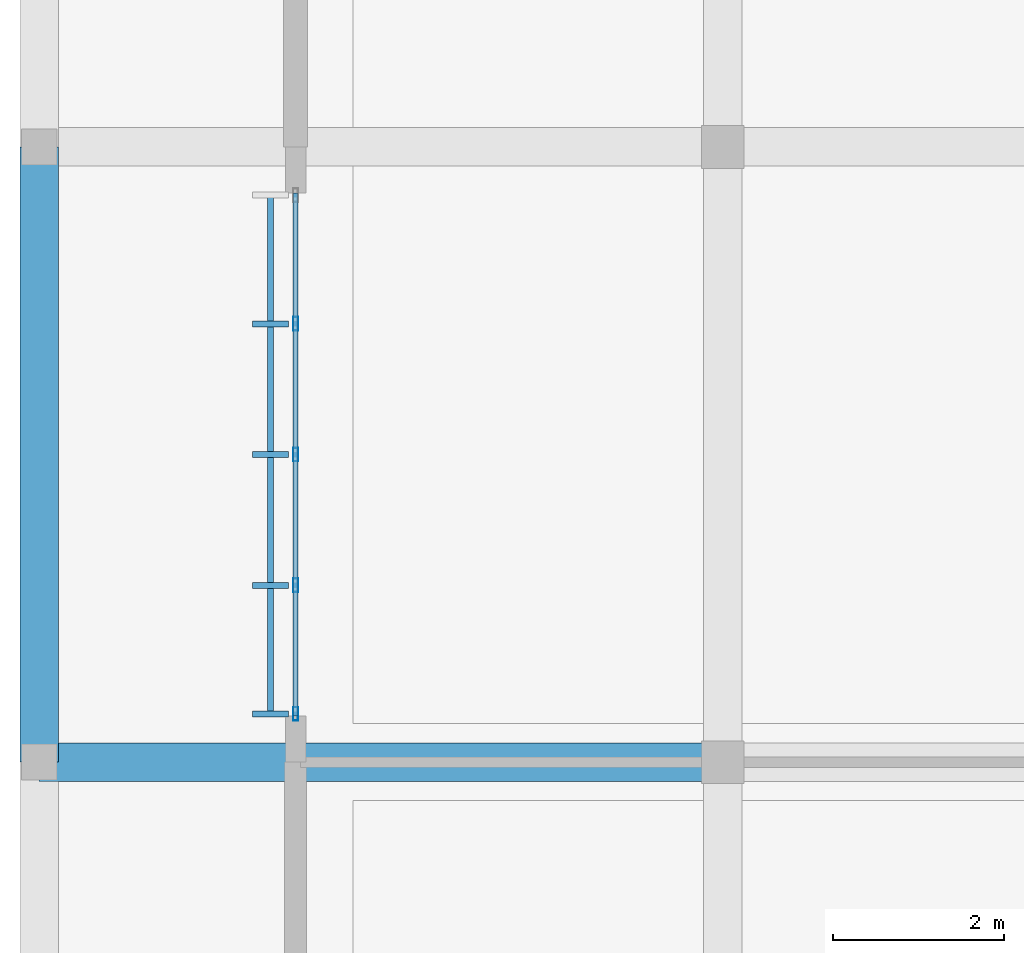
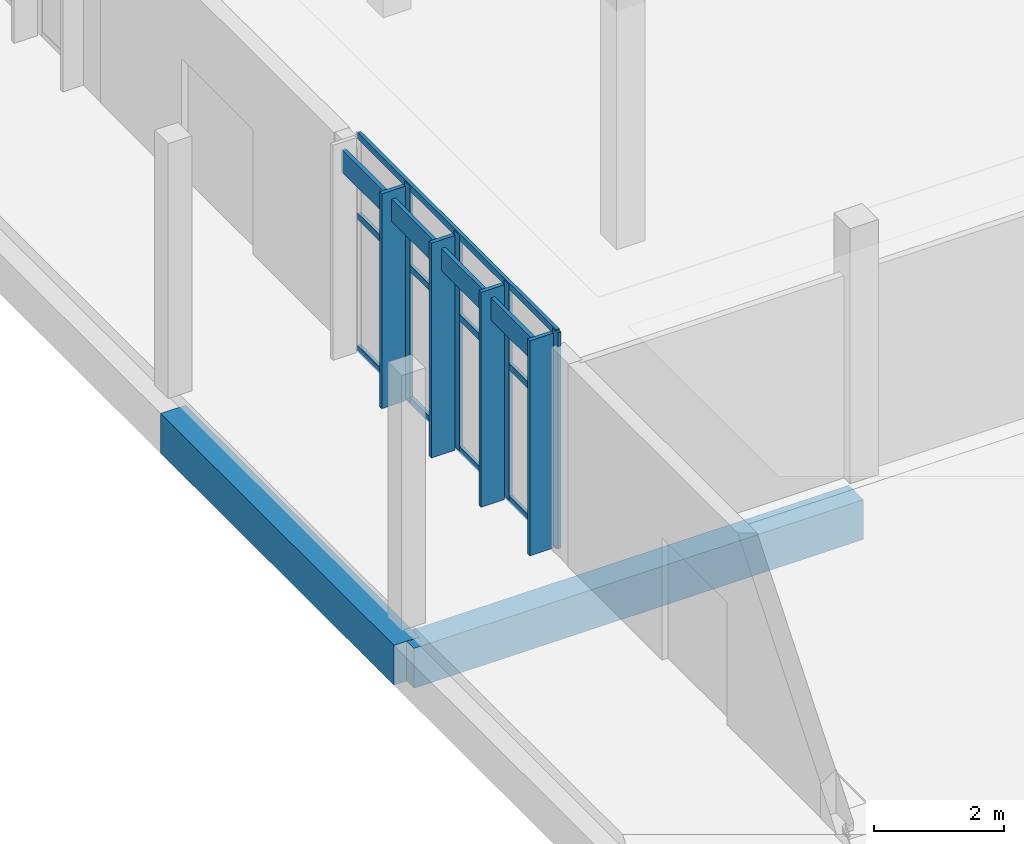
# One storey, part 46 of 151: 12 members, 2 beams, 1 element without a shape of its own.
"""IFC4 building model written with IfcOpenShell, lengths in metres."""

import ifcopenshell
import ifcopenshell.guid

model = None  # the IFC model being written
_history = None  # IfcOwnerHistory: only IFC2X3 demands one
_inside = {}  # id of a spatial element -> (the spatial element, [elements in it])
_under = {}  # id of a project, library or spatial element -> (it, [spatial elements below it])
_declared = {}  # id of a project -> (the project, [libraries it declares])
_typed = {}  # id of a type object -> (the type object, [elements of that type])
_made_of = {}  # id of a material, layer set ... -> (it, [elements and type objects made of it])


def new_model(schema):
    """Start an empty IFC model of exactly this schema.

    Asked for "IFC4X3", IfcOpenShell would pick the latest addendum, in which some entities
    have other attributes; the version numbers below select the first issue.
    IFC2X3 requires an IfcOwnerHistory on every rooted entity: one is made here for all.
    """
    global model, _history
    if schema == "IFC4X3":
        model = ifcopenshell.file(schema_version=(4, 3, 0, 0))
    else:
        model = ifcopenshell.file(schema=schema)
    _inside.clear()
    _under.clear()
    _declared.clear()
    _typed.clear()
    _made_of.clear()
    _history = None
    if model.schema == "IFC2X3":
        org = make("IfcOrganization", Name="unknown")
        user = make(
            "IfcPersonAndOrganization",
            ThePerson=make("IfcPerson", FamilyName="unknown"),
            TheOrganization=org,
        )
        app = make(
            "IfcApplication",
            ApplicationDeveloper=org,
            Version="unknown",
            ApplicationFullName="unknown",
            ApplicationIdentifier="unknown",
        )
        _history = make(
            "IfcOwnerHistory",
            OwningUser=user,
            OwningApplication=app,
            ChangeAction="ADDED",
            CreationDate=0,
        )
    return model


def make(cls, **values):
    """One entity of the class cls with the attributes given. An attribute that is None is left unset."""
    return model.create_entity(
        cls, **{name: value for name, value in values.items() if value is not None}
    )


def rooted(cls, **values):
    """An entity with a GlobalId (a new one), such as an element, a storey or a relation."""
    return make(cls, GlobalId=ifcopenshell.guid.new(), OwnerHistory=_history, **values)


def si_unit(unit_type, name, prefix=None):
    """IfcSIUnit, for example si_unit("LENGTHUNIT", "METRE", prefix="MILLI")."""
    return make("IfcSIUnit", UnitType=unit_type, Prefix=prefix, Name=name)


def assignment(units):
    """IfcUnitAssignment: the units of a project."""
    return None if units is None else make("IfcUnitAssignment", Units=units)


def point(xyz):
    """IfcCartesianPoint."""
    return None if xyz is None else make("IfcCartesianPoint", Coordinates=xyz)


def direction(xyz):
    """IfcDirection."""
    return None if xyz is None else make("IfcDirection", DirectionRatios=xyz)


def frame(location, z_axis=None, x_axis=None):
    """IfcAxis2Placement3D, a coordinate frame: its origin and axes. An axis left out is left unset."""
    return make(
        "IfcAxis2Placement3D",
        Location=point(location),
        Axis=direction(z_axis),
        RefDirection=direction(x_axis),
    )


def frame_2d(location, x_axis=None):
    """IfcAxis2Placement2D, a coordinate frame in the plane: its origin and x axis."""
    return make(
        "IfcAxis2Placement2D", Location=point(location), RefDirection=direction(x_axis)
    )


def origin():
    """The frame at (0, 0, 0) with its axes left unset."""
    return frame((0.0, 0.0, 0.0))


def origin_2d():
    """The frame at (0, 0) in the plane with its x axis left unset."""
    return frame_2d((0.0, 0.0))


def place(relative_to, where):
    """IfcLocalPlacement: puts the frame where relative to a parent placement (None: the world)."""
    return make(
        "IfcLocalPlacement", PlacementRelTo=relative_to, RelativePlacement=where
    )


def context(
    kind, dimensions, precision=None, world=None, true_north=None, identifier=None
):
    """IfcGeometricRepresentationContext, for example the 3D "Model" context."""
    return make(
        "IfcGeometricRepresentationContext",
        ContextIdentifier=identifier,
        ContextType=kind,
        CoordinateSpaceDimension=dimensions,
        Precision=precision,
        WorldCoordinateSystem=world,
        TrueNorth=true_north,
    )


def subcontext(parent, identifier, kind, view, scale=None):
    """IfcGeometricRepresentationSubContext, for example "Body" below "Model"."""
    return make(
        "IfcGeometricRepresentationSubContext",
        ContextIdentifier=identifier,
        ContextType=kind,
        ParentContext=parent,
        TargetScale=scale,
        TargetView=view,
    )


def project(units=None, contexts=None):
    """IfcProject with its units and contexts."""
    return rooted(
        "IfcProject",
        Name="project",
        RepresentationContexts=contexts,
        UnitsInContext=assignment(units),
    )


def spatial(cls, under=None, at=None, **own):
    """A site, building, storey or space (cls), placed at a placement, below another one or the project."""
    s = rooted(cls, ObjectPlacement=at, **own)
    if under is not None:
        _under.setdefault(under.id(), (under, []))[1].append(s)
    return s


def profile(cls, at=None, kind="AREA", **sizes):
    """A parametric profile (cls). Its sizes go by their IFC names, for example OverallWidth=200.0."""
    return make(cls, ProfileType=kind, Position=at, **sizes)


def rectangle(**sizes):
    """IfcRectangleProfileDef."""
    return profile("IfcRectangleProfileDef", **sizes)


def hollow_rectangle(**sizes):
    """IfcRectangleHollowProfileDef."""
    return profile("IfcRectangleHollowProfileDef", **sizes)


def extrude(swept, where, along, depth):
    """IfcExtrudedAreaSolid: the profile swept, set in the frame where, extruded along a direction by depth."""
    return make(
        "IfcExtrudedAreaSolid",
        SweptArea=swept,
        Position=where,
        ExtrudedDirection=direction(along),
        Depth=depth,
    )


def shape(context_of_items, identifier, shape_type, items):
    """IfcShapeRepresentation: the items that make up one representation, for example the "Body"."""
    return make(
        "IfcShapeRepresentation",
        ContextOfItems=context_of_items,
        RepresentationIdentifier=identifier,
        RepresentationType=shape_type,
        Items=items,
    )


def material(Name=None, Category=None):
    """IfcMaterial."""
    return make("IfcMaterial", Name=Name, Category=Category)


def material_profile(
    of_material, cross_section, Name=None, Category=None, Priority=None
):
    """IfcMaterialProfile: a cross section and its material."""
    return make(
        "IfcMaterialProfile",
        Name=Name,
        Material=of_material,
        Profile=cross_section,
        Priority=Priority,
        Category=Category,
    )


def profile_set(profiles, Name=None, composite=None):
    """IfcMaterialProfileSet."""
    return make(
        "IfcMaterialProfileSet",
        Name=Name,
        MaterialProfiles=profiles,
        CompositeProfile=composite,
    )


def made_of(thing, what):
    """Note that an element or type object is made of a material, layer set ...; save() writes the relation."""
    if what is not None:
        _made_of.setdefault(what.id(), (what, []))[1].append(thing)
    return thing


def type_object(cls, material=None, **own):
    """A type object (cls), such as IfcWallType, which elements share."""
    return made_of(rooted(cls, **own), material)


def element(
    cls,
    number,
    at=None,
    inside=None,
    cuts=None,
    type_object=None,
    material=None,
    context=None,
    identifier="Body",
    shape_type=None,
    held_by="IfcProductDefinitionShape",
    body=None,
    shapes=None,
    **own,
):
    """One element of the class cls, such as IfcWall. Its Tag is "e" and its number.

    at: its placement. inside: the storey or other place that contains it. cuts: it is an
    opening in that element (IfcRelVoidsElement). A single representation is given by context,
    identifier, shape_type and body (its items); several are given by shapes. held_by: the class
    of the entity that holds the representations. save() writes the other relations.
    """
    e = rooted(cls, Tag="e%d" % number, ObjectPlacement=at, **own)
    if body is not None:
        shapes = [shape(context, identifier, shape_type, body)]
    if shapes is not None:
        e.Representation = make(held_by, Representations=shapes)
    if inside is not None:
        _inside.setdefault(inside.id(), (inside, []))[1].append(e)
    if cuts is not None:
        rooted(
            "IfcRelVoidsElement", RelatingBuildingElement=cuts, RelatedOpeningElement=e
        )
    if type_object is not None:
        _typed.setdefault(type_object.id(), (type_object, []))[1].append(e)
    return made_of(e, material)


def aggregate(whole, parts):
    """IfcRelAggregates: a whole, such as a stair, and the parts it consists of."""
    return rooted("IfcRelAggregates", RelatingObject=whole, RelatedObjects=parts)


def save(model, path):
    """Write the relations noted so far, then the file.

    IfcRelAggregates (storeys below a building ...), IfcRelContainedInSpatialStructure (elements
    in a storey), IfcRelDefinesByType, IfcRelAssociatesMaterial and IfcRelDeclares: one each for
    every whole, place, type object, material and project.
    """
    for whole, parts in _under.values():
        aggregate(whole, parts)
    for where, things in _inside.values():
        rooted(
            "IfcRelContainedInSpatialStructure",
            RelatedElements=things,
            RelatingStructure=where,
        )
    for kind, things in _typed.values():
        rooted("IfcRelDefinesByType", RelatedObjects=things, RelatingType=kind)
    for what, things in _made_of.values():
        rooted("IfcRelAssociatesMaterial", RelatedObjects=things, RelatingMaterial=what)
    for by, libraries in _declared.values():
        rooted("IfcRelDeclares", RelatingContext=by, RelatedDefinitions=libraries)
    model.write(path)


model = new_model("IFC4")

# Units and contexts
model_context = context("Model", 3, precision=1e-05, world=origin(), true_north=direction((0.0, 1.0)))
body_context = subcontext(model_context, "Body", "Model", "MODEL_VIEW")
ifc_project = project(units=[si_unit("LENGTHUNIT", "METRE"), si_unit("AREAUNIT", "SQUARE_METRE"), si_unit("VOLUMEUNIT", "CUBIC_METRE"), si_unit("PLANEANGLEUNIT", "RADIAN"), si_unit("MASSUNIT", "GRAM", prefix="KILO")], contexts=[model_context])

# Site, building, storey
site_placement = place(None, origin())
site = spatial("IfcSite", under=ifc_project, at=site_placement, CompositionType="ELEMENT")
building_placement = place(site_placement, origin())
building = spatial("IfcBuilding", under=site, at=building_placement, Name="Chiffa Square Polytechnic", CompositionType="ELEMENT")
storey_placement = place(building_placement, origin())
storey = spatial("IfcBuildingStorey", under=building, at=storey_placement, Name="L00", CompositionType="ELEMENT", Elevation=0.0)

# Curtain wall, members
ifc_material_1 = material(Name="Aluminium EN AW-6060 T66 and glulam shading", Category="wood")
curtain_wall_type = type_object("IfcCurtainWallType", Name="CW-VERT-600X380", PredefinedType="USERDEFINED", material=ifc_material_1)
curtain_wall_placement = place(storey_placement, origin())
curtain_wall = element("IfcCurtainWall", 1, at=curtain_wall_placement, inside=storey, type_object=curtain_wall_type, Name="Curtain wall CW-V6-L00-252", ObjectType="CURTAIN WALL", PredefinedType="USERDEFINED")
ifc_material_2 = material(Name="Aluminium EN AW-6060 T66", Category="aluminium")
ifc_material_profile_1 = material_profile(ifc_material_2, hollow_rectangle(XDim=0.06005859375, YDim=0.159912109375, WallThickness=0.00390625, at=origin_2d()), Name="ALU 60x160x4")
ifc_profile_set_1 = profile_set([ifc_material_profile_1], Name="Aluminium EN AW-6060 T66")
member_type_1 = type_object("IfcMemberType", Name="CWM-ALU-65X150", PredefinedType="MULLION", material=ifc_profile_set_1)
member_1_placement = place(storey_placement, frame((3.0, 70.530029296875, 0.0), z_axis=(0.0, 0.0, 1.0), x_axis=(1.0, 0.0, 0.0)))
member_1 = element("IfcMember", 2, at=member_1_placement, type_object=member_type_1, Name="Curtain wall mullion CW-V6-L00-252-M01", PredefinedType="MULLION", context=body_context, shape_type="SweptSolid", body=[
    extrude(hollow_rectangle(XDim=0.06005859375, YDim=0.159912109375, WallThickness=0.00390625, at=origin_2d()), origin(), (0.0, 0.0, 1.0), 4.06494140625),
])
member_2_placement = place(storey_placement, frame((3.0, 69.0, 0.0), z_axis=(0.0, 0.0, 1.0), x_axis=(1.0, 0.0, 0.0)))
member_2 = element("IfcMember", 3, at=member_2_placement, type_object=member_type_1, Name="Curtain wall mullion CW-V6-L00-252-M02", PredefinedType="MULLION", context=body_context, shape_type="SweptSolid", body=[
    extrude(hollow_rectangle(XDim=0.06005859375, YDim=0.159912109375, WallThickness=0.00390625, at=origin_2d()), origin(), (0.0, 0.0, 1.0), 4.06494140625),
])
member_3_placement = place(storey_placement, frame((3.0, 67.469970703125, 0.0), z_axis=(0.0, 0.0, 1.0), x_axis=(1.0, 0.0, 0.0)))
member_3 = element("IfcMember", 4, at=member_3_placement, type_object=member_type_1, Name="Curtain wall mullion CW-V6-L00-252-M03", PredefinedType="MULLION", context=body_context, shape_type="SweptSolid", body=[
    extrude(hollow_rectangle(XDim=0.06005859375, YDim=0.159912109375, WallThickness=0.00390625, at=origin_2d()), origin(), (0.0, 0.0, 1.0), 4.06494140625),
])
member_4_placement = place(storey_placement, frame((3.0, 65.965087890625, 0.0), z_axis=(0.0, 0.0, 1.0), x_axis=(1.0, 0.0, 0.0)))
member_4 = element("IfcMember", 5, at=member_4_placement, type_object=member_type_1, Name="Curtain wall mullion CW-V6-L00-252-M04", PredefinedType="MULLION", context=body_context, shape_type="SweptSolid", body=[
    extrude(hollow_rectangle(XDim=0.06005859375, YDim=0.159912109375, WallThickness=0.00390625, at=origin_2d()), origin(), (0.0, 0.0, 1.0), 4.06494140625),
])
ifc_material_3 = material(Name="Glulam GL28h", Category="wood")
ifc_material_profile_2 = material_profile(ifc_material_3, rectangle(XDim=0.070068359375, YDim=0.419921875, at=origin_2d()), Name="GL28h 70x420")
ifc_profile_set_2 = profile_set([ifc_material_profile_2], Name="Glulam GL28h")
member_type_2 = type_object("IfcMemberType", Name="CWM-GL-70X420", PredefinedType="MULLION", material=ifc_profile_set_2)
member_5_placement = place(storey_placement, frame((2.7080078125, 70.530029296875, 0.010009765625), z_axis=(0.0, 0.0, 1.0), x_axis=(0.0, -1.0, 0.0)))
member_5 = element("IfcMember", 6, at=member_5_placement, type_object=member_type_2, Name="Exterior glulam solar fin CW-V6-L00-252-FN01", PredefinedType="MULLION", context=body_context, shape_type="SweptSolid", body=[
    extrude(rectangle(XDim=0.070068359375, YDim=0.419921875, at=origin_2d()), origin(), (0.0, 0.0, 1.0), 4.044921875),
])
member_6_placement = place(storey_placement, frame((2.7080078125, 69.0, 0.010009765625), z_axis=(0.0, 0.0, 1.0), x_axis=(0.0, -1.0, 0.0)))
member_6 = element("IfcMember", 7, at=member_6_placement, type_object=member_type_2, Name="Exterior glulam solar fin CW-V6-L00-252-FN02", PredefinedType="MULLION", context=body_context, shape_type="SweptSolid", body=[
    extrude(rectangle(XDim=0.070068359375, YDim=0.419921875, at=origin_2d()), origin(), (0.0, 0.0, 1.0), 4.044921875),
])
member_7_placement = place(storey_placement, frame((2.7080078125, 67.469970703125, 0.010009765625), z_axis=(0.0, 0.0, 1.0), x_axis=(0.0, -1.0, 0.0)))
member_7 = element("IfcMember", 8, at=member_7_placement, type_object=member_type_2, Name="Exterior glulam solar fin CW-V6-L00-252-FN03", PredefinedType="MULLION", context=body_context, shape_type="SweptSolid", body=[
    extrude(rectangle(XDim=0.070068359375, YDim=0.419921875, at=origin_2d()), origin(), (0.0, 0.0, 1.0), 4.044921875),
])
member_8_placement = place(storey_placement, frame((2.7080078125, 65.965087890625, 0.010009765625), z_axis=(0.0, 0.0, 1.0), x_axis=(0.0, -1.0, 0.0)))
member_8 = element("IfcMember", 9, at=member_8_placement, type_object=member_type_2, Name="Exterior glulam solar fin CW-V6-L00-252-FN04", PredefinedType="MULLION", context=body_context, shape_type="SweptSolid", body=[
    extrude(rectangle(XDim=0.070068359375, YDim=0.419921875, at=origin_2d()), origin(), (0.0, 0.0, 1.0), 4.044921875),
])
ifc_material_profile_3 = material_profile(ifc_material_2, hollow_rectangle(XDim=0.06005859375, YDim=0.1201171875, WallThickness=0.00390625, at=origin_2d()), Name="ALU 60x120x4")
ifc_profile_set_3 = profile_set([ifc_material_profile_3], Name="Aluminium EN AW-6060 T66")
member_type_3 = type_object("IfcMemberType", Name="CWT-ALU-65X120", PredefinedType="USERDEFINED", material=ifc_profile_set_3)
member_9_placement = place(storey_placement, frame((3.0, 72.06201171875, 0.030029296875), z_axis=(0.0, -1.0, 0.0), x_axis=(1.0, 0.0, 0.0)))
member_9 = element("IfcMember", 10, at=member_9_placement, type_object=member_type_3, Name="Curtain wall transom CW-V6-L00-252-T01", ObjectType="TRANSOM", PredefinedType="USERDEFINED", context=body_context, shape_type="SweptSolid", body=[
    extrude(hollow_rectangle(XDim=0.06005859375, YDim=0.1201171875, WallThickness=0.00390625, at=origin_2d()), origin(), (0.0, 0.0, 1.0), 6.1240234375),
])
member_10_placement = place(storey_placement, frame((3.0, 72.06201171875, 2.52001953125), z_axis=(0.0, -1.0, 0.0), x_axis=(1.0, 0.0, 0.0)))
member_10 = element("IfcMember", 11, at=member_10_placement, type_object=member_type_3, Name="Curtain wall transom CW-V6-L00-252-T02", ObjectType="TRANSOM", PredefinedType="USERDEFINED", context=body_context, shape_type="SweptSolid", body=[
    extrude(hollow_rectangle(XDim=0.06005859375, YDim=0.1201171875, WallThickness=0.00390625, at=origin_2d()), origin(), (0.0, 0.0, 1.0), 6.1240234375),
])
member_11_placement = place(storey_placement, frame((3.0, 72.06201171875, 4.034912109375), z_axis=(0.0, -1.0, 0.0), x_axis=(1.0, 0.0, 0.0)))
member_11 = element("IfcMember", 12, at=member_11_placement, type_object=member_type_3, Name="Curtain wall transom CW-V6-L00-252-T03", ObjectType="TRANSOM", PredefinedType="USERDEFINED", context=body_context, shape_type="SweptSolid", body=[
    extrude(hollow_rectangle(XDim=0.06005859375, YDim=0.1201171875, WallThickness=0.00390625, at=origin_2d()), origin(), (0.0, 0.0, 1.0), 6.1240234375),
])
ifc_material_profile_4 = material_profile(ifc_material_3, rectangle(XDim=0.070068359375, YDim=0.419921875, at=origin_2d()), Name="GL28h 70x420")
ifc_profile_set_4 = profile_set([ifc_material_profile_4], Name="Glulam GL28h")
member_type_4 = type_object("IfcMemberType", Name="CWT-GL-70X420", PredefinedType="USERDEFINED", material=ifc_profile_set_4)
member_12_placement = place(storey_placement, frame((2.7080078125, 72.034912109375, 3.68505859375), z_axis=(0.0, -1.0, 0.0), x_axis=(1.0, 0.0, 0.0)))
member_12 = element("IfcMember", 13, at=member_12_placement, type_object=member_type_4, Name="Exterior glulam brise-soleil CW-V6-L00-252-BS01", ObjectType="TRANSOM", PredefinedType="USERDEFINED", context=body_context, shape_type="SweptSolid", body=[
    extrude(rectangle(XDim=0.070068359375, YDim=0.419921875, at=origin_2d()), origin(), (0.0, 0.0, 1.0), 6.06982421875),
])
aggregate(curtain_wall, [member_1, member_5, member_2, member_6, member_3, member_7, member_4, member_8, member_9, member_10, member_11, member_12])

# Beams
ifc_material_4 = material(Name="Concrete C35/45", Category="concrete")
ifc_material_profile_5 = material_profile(ifc_material_4, rectangle(XDim=0.449951171875, YDim=0.75, at=origin_2d()), Name="RC 450x750")
ifc_profile_set_5 = profile_set([ifc_material_profile_5], Name="Concrete C35/45")
beam_type = type_object("IfcBeamType", Name="GB-RC-450X750", PredefinedType="BEAM", material=ifc_profile_set_5)
beam_1_placement = place(storey_placement, frame((0.0, 65.39990234375, -0.77490234375), z_axis=(1.0, 0.0, 0.0), x_axis=(0.0, 1.0, 0.0)))
element("IfcBeam", 14, at=beam_1_placement, inside=storey, type_object=beam_type, Name="Ground tie beam GB-V6-X-169", PredefinedType="BEAM", context=body_context, shape_type="SweptSolid", body=[
    extrude(rectangle(XDim=0.449951171875, YDim=0.75, at=origin_2d()), origin(), (0.0, 0.0, 1.0), 8.0),
])
beam_2_placement = place(storey_placement, frame((0.0, 65.39990234375, -0.77490234375), z_axis=(0.0, 1.0, 0.0), x_axis=(-1.0, 0.0, 0.0)))
element("IfcBeam", 15, at=beam_2_placement, inside=storey, type_object=beam_type, Name="Ground tie beam GB-V6-Y-199", PredefinedType="BEAM", context=body_context, shape_type="SweptSolid", body=[
    extrude(rectangle(XDim=0.449951171875, YDim=0.75, at=origin_2d()), origin(), (0.0, 0.0, 1.0), 7.2001953125),
])

save(model, "model.ifc")
